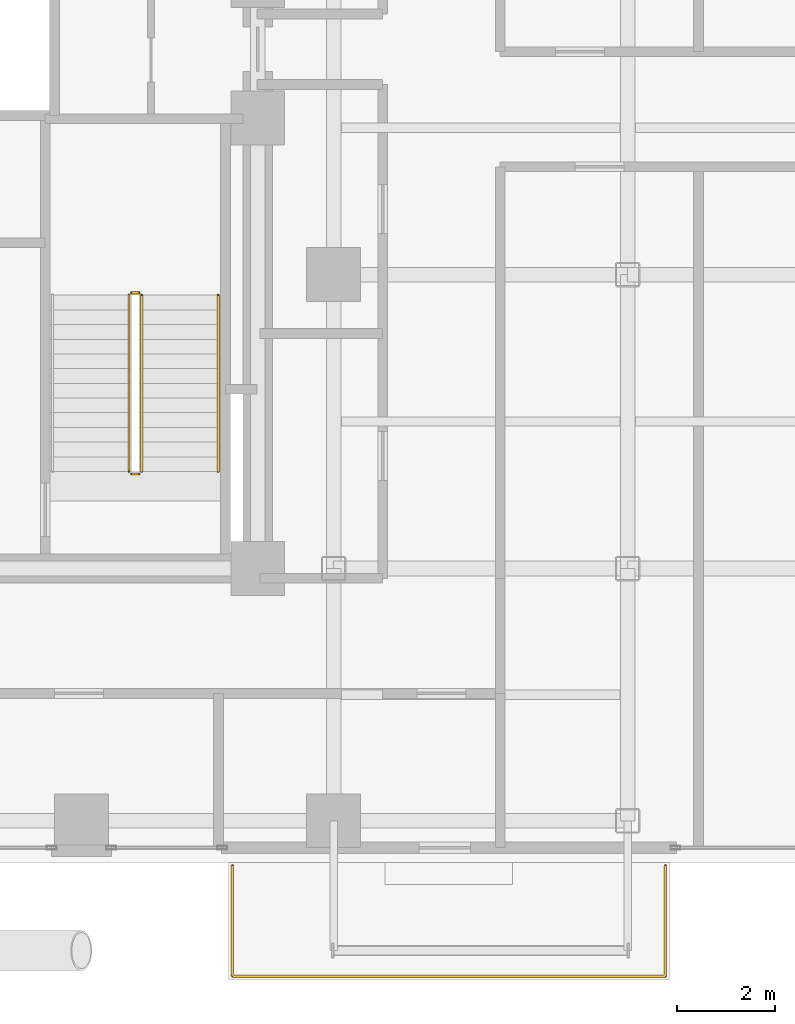
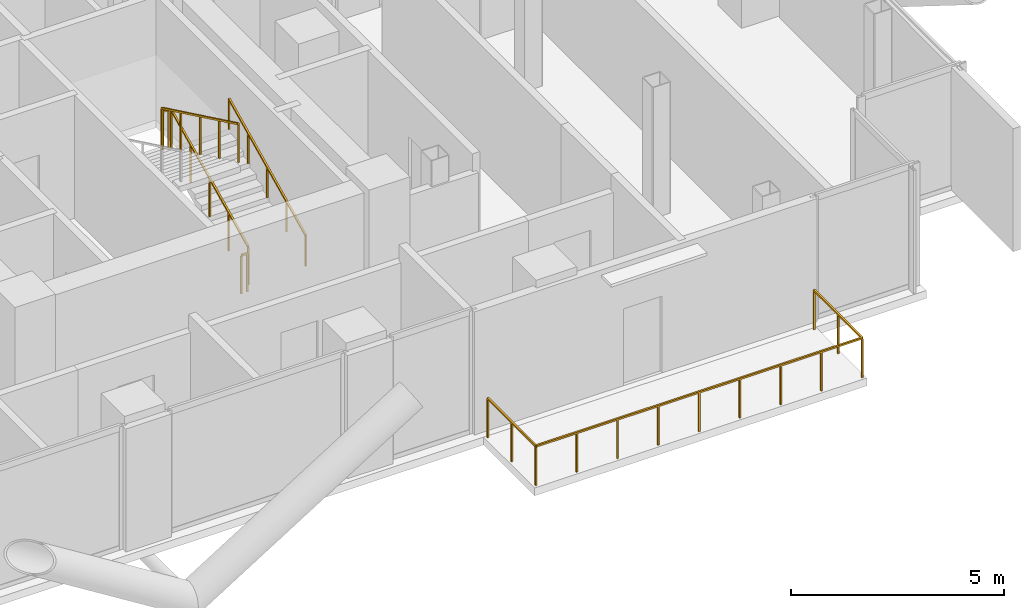
# One storey, part 27 of 28: 6 railings.
"""IFC4 building model written with IfcOpenShell, lengths in metres."""

import ifcopenshell
import ifcopenshell.guid

model = None  # the IFC model being written
_history = None  # IfcOwnerHistory: only IFC2X3 demands one
_inside = {}  # id of a spatial element -> (the spatial element, [elements in it])
_under = {}  # id of a project, library or spatial element -> (it, [spatial elements below it])
_declared = {}  # id of a project -> (the project, [libraries it declares])
_typed = {}  # id of a type object -> (the type object, [elements of that type])
_made_of = {}  # id of a material, layer set ... -> (it, [elements and type objects made of it])


def new_model(schema):
    """Start an empty IFC model of exactly this schema.

    Asked for "IFC4X3", IfcOpenShell would pick the latest addendum, in which some entities
    have other attributes; the version numbers below select the first issue.
    IFC2X3 requires an IfcOwnerHistory on every rooted entity: one is made here for all.
    """
    global model, _history
    if schema == "IFC4X3":
        model = ifcopenshell.file(schema_version=(4, 3, 0, 0))
    else:
        model = ifcopenshell.file(schema=schema)
    _inside.clear()
    _under.clear()
    _declared.clear()
    _typed.clear()
    _made_of.clear()
    _history = None
    if model.schema == "IFC2X3":
        org = make("IfcOrganization", Name="unknown")
        user = make(
            "IfcPersonAndOrganization",
            ThePerson=make("IfcPerson", FamilyName="unknown"),
            TheOrganization=org,
        )
        app = make(
            "IfcApplication",
            ApplicationDeveloper=org,
            Version="unknown",
            ApplicationFullName="unknown",
            ApplicationIdentifier="unknown",
        )
        _history = make(
            "IfcOwnerHistory",
            OwningUser=user,
            OwningApplication=app,
            ChangeAction="ADDED",
            CreationDate=0,
        )
    return model


def make(cls, **values):
    """One entity of the class cls with the attributes given. An attribute that is None is left unset."""
    return model.create_entity(
        cls, **{name: value for name, value in values.items() if value is not None}
    )


def rooted(cls, **values):
    """An entity with a GlobalId (a new one), such as an element, a storey or a relation."""
    return make(cls, GlobalId=ifcopenshell.guid.new(), OwnerHistory=_history, **values)


def si_unit(unit_type, name, prefix=None):
    """IfcSIUnit, for example si_unit("LENGTHUNIT", "METRE", prefix="MILLI")."""
    return make("IfcSIUnit", UnitType=unit_type, Prefix=prefix, Name=name)


def assignment(units):
    """IfcUnitAssignment: the units of a project."""
    return None if units is None else make("IfcUnitAssignment", Units=units)


def point(xyz):
    """IfcCartesianPoint."""
    return None if xyz is None else make("IfcCartesianPoint", Coordinates=xyz)


def direction(xyz):
    """IfcDirection."""
    return None if xyz is None else make("IfcDirection", DirectionRatios=xyz)


def frame(location, z_axis=None, x_axis=None):
    """IfcAxis2Placement3D, a coordinate frame: its origin and axes. An axis left out is left unset."""
    return make(
        "IfcAxis2Placement3D",
        Location=point(location),
        Axis=direction(z_axis),
        RefDirection=direction(x_axis),
    )


def frame_2d(location, x_axis=None):
    """IfcAxis2Placement2D, a coordinate frame in the plane: its origin and x axis."""
    return make(
        "IfcAxis2Placement2D", Location=point(location), RefDirection=direction(x_axis)
    )


def origin():
    """The frame at (0, 0, 0) with its axes left unset."""
    return frame((0.0, 0.0, 0.0))


def origin_2d():
    """The frame at (0, 0) in the plane with its x axis left unset."""
    return frame_2d((0.0, 0.0))


def place(relative_to, where):
    """IfcLocalPlacement: puts the frame where relative to a parent placement (None: the world)."""
    return make(
        "IfcLocalPlacement", PlacementRelTo=relative_to, RelativePlacement=where
    )


def context(
    kind, dimensions, precision=None, world=None, true_north=None, identifier=None
):
    """IfcGeometricRepresentationContext, for example the 3D "Model" context."""
    return make(
        "IfcGeometricRepresentationContext",
        ContextIdentifier=identifier,
        ContextType=kind,
        CoordinateSpaceDimension=dimensions,
        Precision=precision,
        WorldCoordinateSystem=world,
        TrueNorth=true_north,
    )


def subcontext(parent, identifier, kind, view, scale=None):
    """IfcGeometricRepresentationSubContext, for example "Body" below "Model"."""
    return make(
        "IfcGeometricRepresentationSubContext",
        ContextIdentifier=identifier,
        ContextType=kind,
        ParentContext=parent,
        TargetScale=scale,
        TargetView=view,
    )


def project(units=None, contexts=None):
    """IfcProject with its units and contexts."""
    return rooted(
        "IfcProject",
        Name="project",
        RepresentationContexts=contexts,
        UnitsInContext=assignment(units),
    )


def spatial(cls, under=None, at=None, **own):
    """A site, building, storey or space (cls), placed at a placement, below another one or the project."""
    s = rooted(cls, ObjectPlacement=at, **own)
    if under is not None:
        _under.setdefault(under.id(), (under, []))[1].append(s)
    return s


def profile(cls, at=None, kind="AREA", **sizes):
    """A parametric profile (cls). Its sizes go by their IFC names, for example OverallWidth=200.0."""
    return make(cls, ProfileType=kind, Position=at, **sizes)


def rectangle(**sizes):
    """IfcRectangleProfileDef."""
    return profile("IfcRectangleProfileDef", **sizes)


def extrude(swept, where, along, depth):
    """IfcExtrudedAreaSolid: the profile swept, set in the frame where, extruded along a direction by depth."""
    return make(
        "IfcExtrudedAreaSolid",
        SweptArea=swept,
        Position=where,
        ExtrudedDirection=direction(along),
        Depth=depth,
    )


def shape(context_of_items, identifier, shape_type, items):
    """IfcShapeRepresentation: the items that make up one representation, for example the "Body"."""
    return make(
        "IfcShapeRepresentation",
        ContextOfItems=context_of_items,
        RepresentationIdentifier=identifier,
        RepresentationType=shape_type,
        Items=items,
    )


def material(Name=None, Category=None):
    """IfcMaterial."""
    return make("IfcMaterial", Name=Name, Category=Category)


def made_of(thing, what):
    """Note that an element or type object is made of a material, layer set ...; save() writes the relation."""
    if what is not None:
        _made_of.setdefault(what.id(), (what, []))[1].append(thing)
    return thing


def type_object(cls, material=None, **own):
    """A type object (cls), such as IfcWallType, which elements share."""
    return made_of(rooted(cls, **own), material)


def element(
    cls,
    number,
    at=None,
    inside=None,
    cuts=None,
    type_object=None,
    material=None,
    context=None,
    identifier="Body",
    shape_type=None,
    held_by="IfcProductDefinitionShape",
    body=None,
    shapes=None,
    **own,
):
    """One element of the class cls, such as IfcWall. Its Tag is "e" and its number.

    at: its placement. inside: the storey or other place that contains it. cuts: it is an
    opening in that element (IfcRelVoidsElement). A single representation is given by context,
    identifier, shape_type and body (its items); several are given by shapes. held_by: the class
    of the entity that holds the representations. save() writes the other relations.
    """
    e = rooted(cls, Tag="e%d" % number, ObjectPlacement=at, **own)
    if body is not None:
        shapes = [shape(context, identifier, shape_type, body)]
    if shapes is not None:
        e.Representation = make(held_by, Representations=shapes)
    if inside is not None:
        _inside.setdefault(inside.id(), (inside, []))[1].append(e)
    if cuts is not None:
        rooted(
            "IfcRelVoidsElement", RelatingBuildingElement=cuts, RelatedOpeningElement=e
        )
    if type_object is not None:
        _typed.setdefault(type_object.id(), (type_object, []))[1].append(e)
    return made_of(e, material)


def aggregate(whole, parts):
    """IfcRelAggregates: a whole, such as a stair, and the parts it consists of."""
    return rooted("IfcRelAggregates", RelatingObject=whole, RelatedObjects=parts)


def save(model, path):
    """Write the relations noted so far, then the file.

    IfcRelAggregates (storeys below a building ...), IfcRelContainedInSpatialStructure (elements
    in a storey), IfcRelDefinesByType, IfcRelAssociatesMaterial and IfcRelDeclares: one each for
    every whole, place, type object, material and project.
    """
    for whole, parts in _under.values():
        aggregate(whole, parts)
    for where, things in _inside.values():
        rooted(
            "IfcRelContainedInSpatialStructure",
            RelatedElements=things,
            RelatingStructure=where,
        )
    for kind, things in _typed.values():
        rooted("IfcRelDefinesByType", RelatedObjects=things, RelatingType=kind)
    for what, things in _made_of.values():
        rooted("IfcRelAssociatesMaterial", RelatedObjects=things, RelatingMaterial=what)
    for by, libraries in _declared.values():
        rooted("IfcRelDeclares", RelatingContext=by, RelatedDefinitions=libraries)
    model.write(path)


model = new_model("IFC4")

# Units and contexts
model_context = context("Model", 3, precision=1e-05, world=origin(), true_north=direction((0.0, 1.0)))
body_context = subcontext(model_context, "Body", "Model", "MODEL_VIEW")
ifc_project = project(units=[si_unit("LENGTHUNIT", "METRE"), si_unit("AREAUNIT", "SQUARE_METRE"), si_unit("VOLUMEUNIT", "CUBIC_METRE"), si_unit("PLANEANGLEUNIT", "RADIAN"), si_unit("MASSUNIT", "GRAM", prefix="KILO"), si_unit("THERMODYNAMICTEMPERATUREUNIT", "KELVIN"), si_unit("POWERUNIT", "WATT")], contexts=[model_context])

# Site, building, storey
site_placement = place(None, origin())
site = spatial("IfcSite", under=ifc_project, at=site_placement, CompositionType="ELEMENT")
building_placement = place(site_placement, origin())
building = spatial("IfcBuilding", under=site, at=building_placement, Name="Svarakhadi Broadcast Tower", CompositionType="ELEMENT")
storey_placement = place(building_placement, frame((0.0, 0.0, 123.14990234375)))
storey = spatial("IfcBuildingStorey", under=building, at=storey_placement, Name="L29", CompositionType="ELEMENT", Elevation=123.14990234375)

# Railings
ifc_material_1 = material(Name="Laminated Structural SentryGlas Balustrade 25.5 mm", Category="glass")
railing_type_1 = type_object("IfcRailingType", Name="Guard_Balcony_GR01", PredefinedType="BALUSTRADE", material=ifc_material_1)
railing_1_placement = place(storey_placement, frame((33.080078125, -0.06005859375, 0.0)))
element("IfcRailing", 1, at=railing_1_placement, inside=storey, type_object=railing_type_1, Name="L29 South Tree Balcony Guard GR-05", PredefinedType="BALUSTRADE", context=body_context, shape_type="SweptSolid", body=[
    extrude(rectangle(XDim=0.048095703125, YDim=0.048095703125, at=origin_2d()), frame((0.0, 0.0, 1.1259765625), z_axis=(0.0, -1.0, 0.0), x_axis=(1.0, 0.0, 0.0)), (0.0, 0.0, 1.0), 2.260009765625),
    extrude(rectangle(XDim=0.048095703125, YDim=0.048095703125, at=origin_2d()), frame((0.0, -2.260009765625, 1.1259765625), z_axis=(1.0, 0.0, 0.0), x_axis=(0.0, 1.0, 0.0)), (0.0, 0.0, 1.0), 8.83984375),
    extrude(rectangle(XDim=0.048095703125, YDim=0.048095703125, at=origin_2d()), frame((8.83984375, -2.260009765625, 1.1259765625), z_axis=(0.0, 1.0, 0.0), x_axis=(-1.0, 0.0, 0.0)), (0.0, 0.0, 1.0), 2.260009765625),
    extrude(rectangle(XDim=0.0419921875, YDim=0.0419921875, at=origin_2d()), origin(), (0.0, 0.0, 1.0), 1.101806640625),
    extrude(rectangle(XDim=0.0419921875, YDim=0.0419921875, at=origin_2d()), frame((0.0, -1.1298828125, 0.0)), (0.0, 0.0, 1.0), 1.101806640625),
    extrude(rectangle(XDim=0.0419921875, YDim=0.0419921875, at=origin_2d()), frame((0.0, -2.260009765625, 0.0)), (0.0, 0.0, 1.0), 1.101806640625),
    extrude(rectangle(XDim=0.0419921875, YDim=0.0419921875, at=origin_2d()), frame((1.10498046875, -2.260009765625, 0.0)), (0.0, 0.0, 1.0), 1.101806640625),
    extrude(rectangle(XDim=0.0419921875, YDim=0.0419921875, at=origin_2d()), frame((2.2099609375, -2.260009765625, 0.0)), (0.0, 0.0, 1.0), 1.101806640625),
    extrude(rectangle(XDim=0.0419921875, YDim=0.0419921875, at=origin_2d()), frame((3.31494140625, -2.260009765625, 0.0)), (0.0, 0.0, 1.0), 1.101806640625),
    extrude(rectangle(XDim=0.0419921875, YDim=0.0419921875, at=origin_2d()), frame((4.419921875, -2.260009765625, 0.0)), (0.0, 0.0, 1.0), 1.101806640625),
    extrude(rectangle(XDim=0.0419921875, YDim=0.0419921875, at=origin_2d()), frame((5.52490234375, -2.260009765625, 0.0)), (0.0, 0.0, 1.0), 1.101806640625),
    extrude(rectangle(XDim=0.0419921875, YDim=0.0419921875, at=origin_2d()), frame((6.6298828125, -2.260009765625, 0.0)), (0.0, 0.0, 1.0), 1.101806640625),
    extrude(rectangle(XDim=0.0419921875, YDim=0.0419921875, at=origin_2d()), frame((7.73486328125, -2.260009765625, 0.0)), (0.0, 0.0, 1.0), 1.101806640625),
    extrude(rectangle(XDim=0.0419921875, YDim=0.0419921875, at=origin_2d()), frame((8.83984375, -2.260009765625, 0.0)), (0.0, 0.0, 1.0), 1.101806640625),
    extrude(rectangle(XDim=0.0419921875, YDim=0.0419921875, at=origin_2d()), frame((8.83984375, -1.1298828125, 0.0)), (0.0, 0.0, 1.0), 1.101806640625),
    extrude(rectangle(XDim=0.0419921875, YDim=0.0419921875, at=origin_2d()), frame((8.83984375, 0.0, 0.0)), (0.0, 0.0, 1.0), 1.101806640625),
])
ifc_material_2 = material(Name="Anodised Bronze Aluminium AA 6063-T6", Category="aluminium")
railing_type_2 = type_object("IfcRailingType", Name="Guard_Stair_GR01", PredefinedType="GUARDRAIL", material=ifc_material_2)
railing_2_placement = place(storey_placement, frame((31.22998046875, 7.97998046875, 0.144287109375)))
element("IfcRailing", 2, at=railing_2_placement, inside=storey, type_object=railing_type_2, Name="L29 ST-02 stair guard 1", PredefinedType="GUARDRAIL", context=body_context, shape_type="SweptSolid", body=[
    extrude(rectangle(XDim=0.048095703125, YDim=0.048095703125, at=origin_2d()), frame((0.0, 0.0, 1.09619140625), z_axis=(0.0, 0.901262522062, 0.433273431364), x_axis=(-1.0, 0.0, 0.0)), (0.0, 0.0, 1.0), 3.994384765625),
    extrude(rectangle(XDim=0.0419921875, YDim=0.0419921875, at=origin_2d()), origin(), (0.0, 0.0, 1.0), 1.072021484375),
    extrude(rectangle(XDim=0.0419921875, YDim=0.0419921875, at=origin_2d()), frame((0.0, 0.89990234375, 0.4326171875)), (0.0, 0.0, 1.0), 1.072021484375),
    extrude(rectangle(XDim=0.0419921875, YDim=0.0419921875, at=origin_2d()), frame((0.0, 1.800048828125, 0.865234375)), (0.0, 0.0, 1.0), 1.072021484375),
    extrude(rectangle(XDim=0.0419921875, YDim=0.0419921875, at=origin_2d()), frame((0.0, 2.7001953125, 1.298095703125)), (0.0, 0.0, 1.0), 1.072021484375),
    extrude(rectangle(XDim=0.0419921875, YDim=0.0419921875, at=origin_2d()), frame((0.0, 3.60009765625, 1.730712890625)), (0.0, 0.0, 1.0), 1.072021484375),
])
railing_3_placement = place(storey_placement, frame((31.179931640625, 11.6298828125, 1.875)))
element("IfcRailing", 3, at=railing_3_placement, inside=storey, type_object=railing_type_2, Name="L29 ST-02 stair guard 2", PredefinedType="GUARDRAIL", context=body_context, shape_type="SweptSolid", body=[
    extrude(rectangle(XDim=0.048095703125, YDim=0.048095703125, at=origin_2d()), frame((0.0, 0.0, 1.09619140625), z_axis=(-1.0, 0.0, 0.0), x_axis=(0.0, -1.0, 0.0)), (0.0, 0.0, 1.0), 0.159912109375),
    extrude(rectangle(XDim=0.0419921875, YDim=0.0419921875, at=origin_2d()), origin(), (0.0, 0.0, 1.0), 1.072021484375),
    extrude(rectangle(XDim=0.0419921875, YDim=0.0419921875, at=origin_2d()), frame((-0.159912109375, 0.0, 0.0)), (0.0, 0.0, 1.0), 1.072021484375),
])
railing_4_placement = place(storey_placement, frame((30.969970703125, 11.580078125, 2.019287109375)))
element("IfcRailing", 4, at=railing_4_placement, inside=storey, type_object=railing_type_2, Name="L29 ST-02 stair guard 3", PredefinedType="GUARDRAIL", context=body_context, shape_type="SweptSolid", body=[
    extrude(rectangle(XDim=0.048095703125, YDim=0.048095703125, at=origin_2d()), frame((0.0, 0.0, 1.09619140625), z_axis=(0.0, -0.901262522062, 0.433273431364), x_axis=(1.0, 0.0, 0.0)), (0.0, 0.0, 1.0), 3.994384765625),
    extrude(rectangle(XDim=0.0419921875, YDim=0.0419921875, at=origin_2d()), origin(), (0.0, 0.0, 1.0), 1.072021484375),
    extrude(rectangle(XDim=0.0419921875, YDim=0.0419921875, at=origin_2d()), frame((0.0, -0.89990234375, 0.4326171875)), (0.0, 0.0, 1.0), 1.072021484375),
    extrude(rectangle(XDim=0.0419921875, YDim=0.0419921875, at=origin_2d()), frame((0.0, -1.800048828125, 0.865234375)), (0.0, 0.0, 1.0), 1.072021484375),
    extrude(rectangle(XDim=0.0419921875, YDim=0.0419921875, at=origin_2d()), frame((0.0, -2.7001953125, 1.298095703125)), (0.0, 0.0, 1.0), 1.072021484375),
    extrude(rectangle(XDim=0.0419921875, YDim=0.0419921875, at=origin_2d()), frame((0.0, -3.60009765625, 1.730712890625)), (0.0, 0.0, 1.0), 1.072021484375),
])
railing_5_placement = place(storey_placement, frame((31.179931640625, 7.929931640625, 0.0)))
element("IfcRailing", 5, at=railing_5_placement, inside=storey, type_object=railing_type_2, Name="L29 ST-02 stair guard 4", PredefinedType="GUARDRAIL", context=body_context, shape_type="SweptSolid", body=[
    extrude(rectangle(XDim=0.048095703125, YDim=0.048095703125, at=origin_2d()), frame((0.0, 0.0, 1.09619140625), z_axis=(-1.0, 0.0, 0.0), x_axis=(0.0, -1.0, 0.0)), (0.0, 0.0, 1.0), 0.159912109375),
    extrude(rectangle(XDim=0.0419921875, YDim=0.0419921875, at=origin_2d()), origin(), (0.0, 0.0, 1.0), 1.072021484375),
    extrude(rectangle(XDim=0.0419921875, YDim=0.0419921875, at=origin_2d()), frame((-0.159912109375, 0.0, 0.0)), (0.0, 0.0, 1.0), 1.072021484375),
])
railing_type_3 = type_object("IfcRailingType", Name="Handrail_Stair_HR01", PredefinedType="HANDRAIL", material=ifc_material_2)
railing_6_placement = place(storey_placement, frame((32.7900390625, 7.97998046875, 0.144287109375)))
element("IfcRailing", 6, at=railing_6_placement, inside=storey, type_object=railing_type_3, Name="L29 ST-02 stair handrail 1", PredefinedType="HANDRAIL", context=body_context, shape_type="SweptSolid", body=[
    extrude(rectangle(XDim=0.048095703125, YDim=0.048095703125, at=origin_2d()), frame((0.0, 0.0, 0.8759765625), z_axis=(0.0, 0.901262522062, 0.433273431364), x_axis=(-1.0, 0.0, 0.0)), (0.0, 0.0, 1.0), 3.994384765625),
    extrude(rectangle(XDim=0.0419921875, YDim=0.0419921875, at=origin_2d()), origin(), (0.0, 0.0, 1.0), 0.851806640625),
    extrude(rectangle(XDim=0.0419921875, YDim=0.0419921875, at=origin_2d()), frame((0.0, 0.89990234375, 0.4326171875)), (0.0, 0.0, 1.0), 0.851806640625),
    extrude(rectangle(XDim=0.0419921875, YDim=0.0419921875, at=origin_2d()), frame((0.0, 1.800048828125, 0.865234375)), (0.0, 0.0, 1.0), 0.851806640625),
    extrude(rectangle(XDim=0.0419921875, YDim=0.0419921875, at=origin_2d()), frame((0.0, 2.7001953125, 1.298095703125)), (0.0, 0.0, 1.0), 0.851806640625),
    extrude(rectangle(XDim=0.0419921875, YDim=0.0419921875, at=origin_2d()), frame((0.0, 3.60009765625, 1.730712890625)), (0.0, 0.0, 1.0), 0.851806640625),
])

save(model, "model.ifc")
